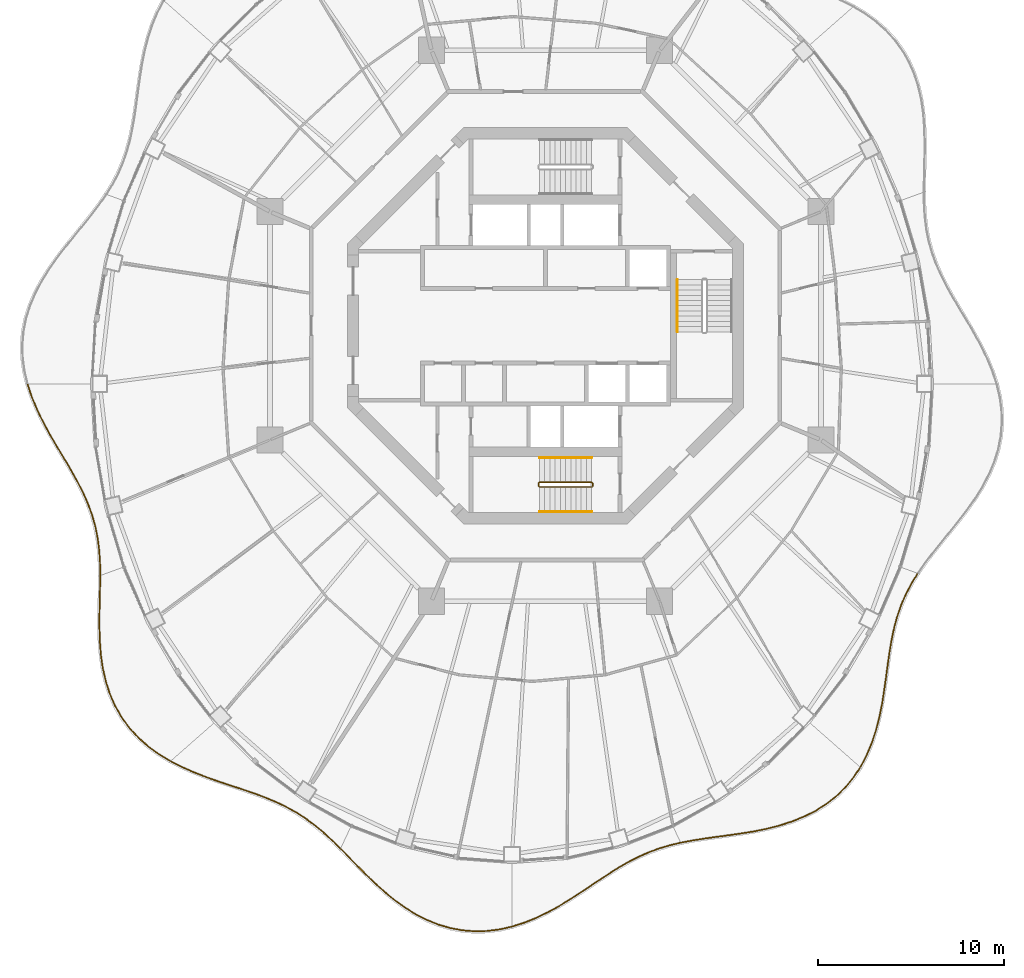
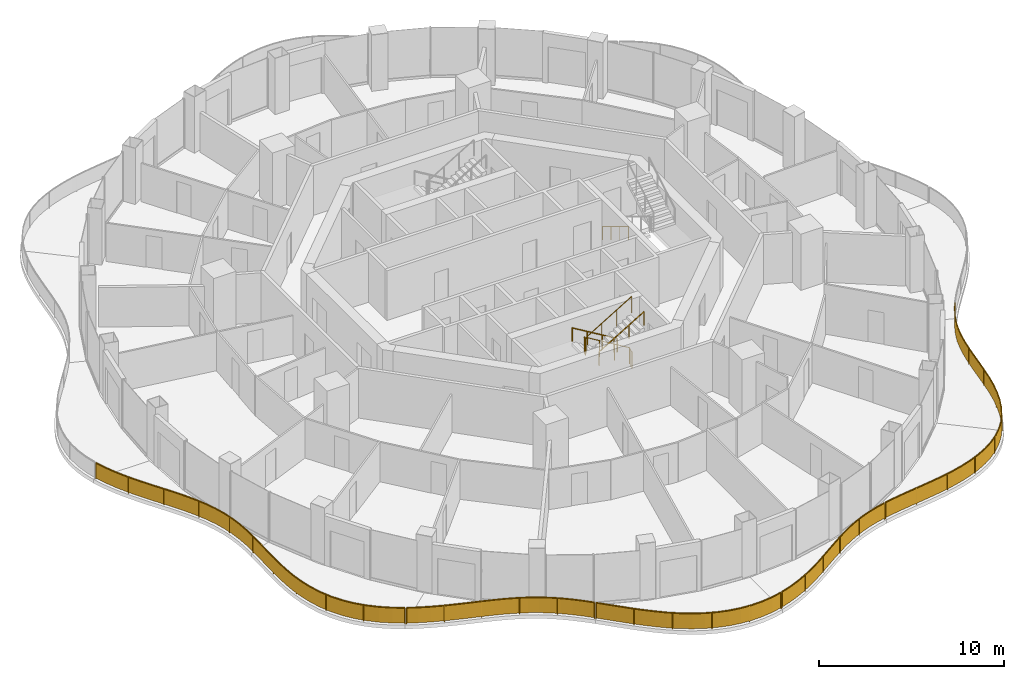
# One storey, part 15 of 17: 11 railings.
"""IFC4 building model written with IfcOpenShell, lengths in metres."""

from ifc_helpers import new_model, si_unit, direction, frame, origin, origin_2d, place, context, subcontext, project, spatial, polyline, rectangle, circle, outline, extrude, material, type_object, element, save


model = new_model("IFC4")

# Units and contexts
model_context = context("Model", 3, precision=1e-05, world=origin(), true_north=direction((0.0, 1.0)))
body_context = subcontext(model_context, "Body", "Model", "MODEL_VIEW")
ifc_project = project(units=[si_unit("LENGTHUNIT", "METRE"), si_unit("AREAUNIT", "SQUARE_METRE"), si_unit("VOLUMEUNIT", "CUBIC_METRE"), si_unit("PLANEANGLEUNIT", "RADIAN"), si_unit("MASSUNIT", "GRAM", prefix="KILO")], contexts=[model_context])

# Site, building, storey
site_placement = place(None, origin())
site = spatial("IfcSite", under=ifc_project, at=site_placement, CompositionType="ELEMENT")
building_placement = place(site_placement, origin())
building = spatial("IfcBuilding", under=site, at=building_placement, Name="Nagisa Residences", CompositionType="ELEMENT")
storey_placement = place(building_placement, frame((0.0, 0.0, 295.5)))
storey = spatial("IfcBuildingStorey", under=building, at=storey_placement, Name="L75", CompositionType="ELEMENT", Elevation=295.5)

# Railings
ifc_material_1 = material(Name="Stainless steel 316", Category="steel")
railing_type_1 = type_object("IfcRailingType", Name="BALCONY GUARD 1100", PredefinedType="BALUSTRADE", material=ifc_material_1)
railing_1_placement = place(storey_placement, frame((-27.78662109375, -3.154296875, 0.0)))
element("IfcRailing", 1, at=railing_1_placement, inside=storey, type_object=railing_type_1, Name="guard:L75:bal08-0", PredefinedType="BALUSTRADE", context=body_context, shape_type="SweptSolid", body=[
    extrude(outline(polyline([(0.24169921875, -0.64599609375), (0.023681640625, 0.0078125), (-0.023681640625, -0.0078125), (0.19482421875, -0.66357421875), (0.48095703125, -1.351806640625), (0.8095703125, -2.026123046875), (1.16796875, -2.685302734375), (1.54248046875, -3.329345703125), (1.91748046875, -3.946044921875), (2.283203125, -4.56494140625), (2.62646484375, -5.175537109375), (2.936767578125, -5.781982421875), (3.206787109375, -6.388916015625), (3.427490234375, -6.98681640625), (3.603271484375, -7.607666015625), (3.731201171875, -8.242431640625), (3.813720703125, -8.89404296875), (3.857666015625, -9.564697265625), (3.868408203125, -10.21240234375), (3.918212890625, -10.21142578125), (3.907470703125, -9.562744140625), (3.863525390625, -8.88916015625), (3.780517578125, -8.234130859375), (3.652099609375, -7.595947265625), (3.475341796875, -6.97119140625), (3.253173828125, -6.369873046875), (2.982177734375, -5.760498046875), (2.67041015625, -5.152099609375), (2.32666015625, -4.5400390625), (1.96044921875, -3.920166015625), (1.58544921875, -3.303955078125), (1.21142578125, -2.660888671875), (0.85400390625, -2.003173828125), (0.5263671875, -1.331298828125), (0.24169921875, -0.64599609375)])), frame((0.0, 0.0, 1.050048828125)), (0.0, 0.0, 1.0), 0.050048828125),
    extrude(outline(polyline([(0.224853515625, -0.65234375), (0.006591796875, 0.002197265625), (-0.006591796875, -0.002197265625), (0.211669921875, -0.6572265625), (0.497314453125, -1.344482421875), (0.82568359375, -2.017822265625), (1.18359375, -2.676513671875), (1.557861328125, -3.3203125), (1.932861328125, -3.936767578125), (2.298828125, -4.555908203125), (2.642333984375, -5.167236328125), (2.953125, -5.774169921875), (3.223388671875, -6.382080078125), (3.44482421875, -6.981201171875), (3.620849609375, -7.603515625), (3.7490234375, -8.239501953125), (3.83154296875, -8.892333984375), (3.87548828125, -9.56396484375), (3.88623046875, -10.2119140625), (3.900390625, -10.2119140625), (3.8896484375, -9.5634765625), (3.845703125, -8.890869140625), (3.7626953125, -8.237060546875), (3.634521484375, -7.60009765625), (3.4580078125, -6.976806640625), (3.236572265625, -6.376708984375), (2.9658203125, -5.768310546875), (2.654541015625, -5.160400390625), (2.31103515625, -4.549072265625), (1.945068359375, -3.929443359375), (1.570068359375, -3.31298828125), (1.19580078125, -2.669677734375), (0.837890625, -2.011474609375), (0.510009765625, -1.338623046875), (0.224853515625, -0.65234375)])), frame((0.0, 0.0, 0.06005859375)), (0.0, 0.0, 1.0), 0.989990234375),
    extrude(rectangle(XDim=0.0400390625, YDim=0.0400390625, at=origin_2d()), origin(), (0.0, 0.0, 1.0), 1.050048828125),
    extrude(rectangle(XDim=0.0400390625, YDim=0.0400390625, at=origin_2d()), frame((0.847900390625, -2.04443359375, 0.0)), (0.0, 0.0, 1.0), 1.050048828125),
    extrude(rectangle(XDim=0.0400390625, YDim=0.0400390625, at=origin_2d()), frame((1.956787109375, -3.963134765625, 0.0)), (0.0, 0.0, 1.0), 1.050048828125),
    extrude(rectangle(XDim=0.0400390625, YDim=0.0400390625, at=origin_2d()), frame((3.019775390625, -5.906982421875, 0.0)), (0.0, 0.0, 1.0), 1.050048828125),
    extrude(rectangle(XDim=0.0400390625, YDim=0.0400390625, at=origin_2d()), frame((3.709228515625, -8.0068359375, 0.0)), (0.0, 0.0, 1.0), 1.050048828125),
    extrude(rectangle(XDim=0.0400390625, YDim=0.0400390625, at=origin_2d()), frame((3.893310546875, -10.2119140625, 0.0)), (0.0, 0.0, 1.0), 1.050048828125),
])
railing_2_placement = place(storey_placement, frame((-23.895263671875, -13.440185546875, 0.0)))
element("IfcRailing", 2, at=railing_2_placement, inside=storey, type_object=railing_type_1, Name="guard:L75:bal09-0", PredefinedType="BALUSTRADE", context=body_context, shape_type="SweptSolid", body=[
    extrude(outline(polyline([(0.01611328125, -0.645751953125), (0.02490234375, -0.000244140625), (-0.02490234375, 0.000244140625), (-0.03369140625, -0.644775390625), (-0.050537109375, -1.349853515625), (-0.065185546875, -2.068359375), (-0.06591796875, -2.796142578125), (-0.040771484375, -3.527587890625), (0.013916015625, -4.2431640625), (0.121337890625, -4.962158203125), (0.28271484375, -5.6640625), (0.50439453125, -6.34228515625), (0.7900390625, -6.98876953125), (1.134033203125, -7.58740234375), (1.549072265625, -8.15283203125), (2.026611328125, -8.674072265625), (2.560546875, -9.14697265625), (3.143798828125, -9.57177734375), (3.72900390625, -9.923583984375), (3.7548828125, -9.880615234375), (3.171630859375, -9.52978515625), (2.591796875, -9.10791015625), (2.061767578125, -8.638427734375), (1.587646484375, -8.12109375), (1.176025390625, -7.56005859375), (0.8349609375, -6.96630859375), (0.55126953125, -6.32421875), (0.3310546875, -5.65087890625), (0.170654296875, -4.952880859375), (0.063720703125, -4.2373046875), (0.009033203125, -3.524658203125), (-0.015625, -2.795166015625), (-0.015380859375, -2.06884765625), (-0.000732421875, -1.350830078125), (0.01611328125, -0.645751953125)])), frame((0.0, 0.0, 1.050048828125)), (0.0, 0.0, 1.0), 0.050048828125),
    extrude(outline(polyline([(-0.001708984375, -0.6455078125), (0.007080078125, 0.0), (-0.007080078125, 0.0), (-0.015869140625, -0.64501953125), (-0.03271484375, -1.35009765625), (-0.04736328125, -2.068603515625), (-0.0478515625, -2.795654296875), (-0.02294921875, -3.526611328125), (0.03173828125, -4.240966796875), (0.13916015625, -4.958740234375), (0.300048828125, -5.659423828125), (0.521240234375, -6.335693359375), (0.80615234375, -6.980712890625), (1.149169921875, -7.57763671875), (1.56298828125, -8.141357421875), (2.039306640625, -8.6611328125), (2.57177734375, -9.1328125), (3.15380859375, -9.556640625), (3.73828125, -9.908203125), (3.74560546875, -9.89599609375), (3.16162109375, -9.544921875), (2.58056640625, -9.1220703125), (2.049072265625, -8.6513671875), (1.57373046875, -8.132568359375), (1.160888671875, -7.56982421875), (0.81884765625, -6.974365234375), (0.534423828125, -6.330810546875), (0.313720703125, -5.655517578125), (0.15283203125, -4.956298828125), (0.0458984375, -4.239501953125), (-0.0087890625, -3.525634765625), (-0.03369140625, -2.795654296875), (-0.033203125, -2.068603515625), (-0.0185546875, -1.3505859375), (-0.001708984375, -0.6455078125)])), frame((0.0, 0.0, 0.06005859375)), (0.0, 0.0, 1.0), 0.989990234375),
    extrude(rectangle(XDim=0.0400390625, YDim=0.0400390625, at=origin_2d()), origin(), (0.0, 0.0, 1.0), 1.050048828125),
    extrude(rectangle(XDim=0.0400390625, YDim=0.0400390625, at=origin_2d()), frame((-0.04052734375, -2.260498046875, 0.0)), (0.0, 0.0, 1.0), 1.050048828125),
    extrude(rectangle(XDim=0.0400390625, YDim=0.0400390625, at=origin_2d()), frame((0.080078125, -4.515625, 0.0)), (0.0, 0.0, 1.0), 1.050048828125),
    extrude(rectangle(XDim=0.0400390625, YDim=0.0400390625, at=origin_2d()), frame((0.683349609375, -6.685302734375, 0.0)), (0.0, 0.0, 1.0), 1.050048828125),
    extrude(rectangle(XDim=0.0400390625, YDim=0.0400390625, at=origin_2d()), frame((1.943359375, -8.54638671875, 0.0)), (0.0, 0.0, 1.0), 1.050048828125),
    extrude(rectangle(XDim=0.0400390625, YDim=0.0400390625, at=origin_2d()), frame((3.741943359375, -9.902099609375, 0.0)), (0.0, 0.0, 1.0), 1.050048828125),
])
railing_3_placement = place(storey_placement, frame((-20.085205078125, -23.379150390625, 0.0)))
element("IfcRailing", 3, at=railing_3_placement, inside=storey, type_object=railing_type_1, Name="guard:L75:bal10-0", PredefinedType="BALUSTRADE", context=body_context, shape_type="SweptSolid", body=[
    extrude(outline(polyline([(0.593505859375, -0.273681640625), (0.01123046875, 0.022216796875), (-0.01123046875, -0.022216796875), (0.572021484375, -0.319091796875), (1.216064453125, -0.604248046875), (1.87109375, -0.860107421875), (2.528564453125, -1.093994140625), (3.181396484375, -1.313232421875), (3.81005859375, -1.515380859375), (4.4326171875, -1.729736328125), (5.0341796875, -1.953857421875), (5.611328125, -2.195068359375), (6.16357421875, -2.459228515625), (6.677490234375, -2.742919921875), (7.18359375, -3.067626953125), (7.671142578125, -3.426513671875), (8.14501953125, -3.819091796875), (8.61083984375, -4.24365234375), (9.041259765625, -4.665771484375), (9.076416015625, -4.630126953125), (8.64501953125, -4.20751953125), (8.177734375, -3.781494140625), (7.701904296875, -3.386962890625), (7.2119140625, -3.026611328125), (6.703369140625, -2.699951171875), (6.1865234375, -2.414794921875), (5.6318359375, -2.149169921875), (5.052734375, -1.907470703125), (4.44970703125, -1.682861328125), (3.82568359375, -1.468017578125), (3.197021484375, -1.265869140625), (2.545166015625, -1.046630859375), (1.888671875, -0.813232421875), (1.235107421875, -0.557861328125), (0.593505859375, -0.273681640625)])), frame((0.0, 0.0, 1.050048828125)), (0.0, 0.0, 1.0), 0.050048828125),
    extrude(outline(polyline([(0.585693359375, -0.2900390625), (0.003173828125, 0.00634765625), (-0.003173828125, -0.00634765625), (0.579833984375, -0.302734375), (1.222900390625, -0.58740234375), (1.87744140625, -0.84326171875), (2.53466796875, -1.076904296875), (3.18701171875, -1.296142578125), (3.815673828125, -1.498291015625), (4.438720703125, -1.712890625), (5.040771484375, -1.937255859375), (5.61865234375, -2.178466796875), (6.171875, -2.443359375), (6.686767578125, -2.7275390625), (7.19384765625, -3.052978515625), (7.68212890625, -3.412353515625), (8.15673828125, -3.8056640625), (8.623046875, -4.230712890625), (9.053955078125, -4.65283203125), (9.063720703125, -4.64306640625), (8.6328125, -4.220458984375), (8.166015625, -3.794921875), (7.69091796875, -3.401123046875), (7.20166015625, -3.041259765625), (6.694091796875, -2.71533203125), (6.17822265625, -2.4306640625), (5.62451171875, -2.165771484375), (5.046142578125, -1.924072265625), (4.443603515625, -1.69970703125), (3.820068359375, -1.485107421875), (3.19140625, -1.282958984375), (2.5390625, -1.063720703125), (1.88232421875, -0.830078125), (1.228271484375, -0.57470703125), (0.585693359375, -0.2900390625)])), frame((0.0, 0.0, 0.06005859375)), (0.0, 0.0, 1.0), 0.989990234375),
    extrude(rectangle(XDim=0.0400390625, YDim=0.0400390625, at=origin_2d()), origin(), (0.0, 0.0, 1.0), 1.050048828125),
    extrude(rectangle(XDim=0.0400390625, YDim=0.0400390625, at=origin_2d()), frame((1.8798828125, -0.836669921875, 0.0)), (0.0, 0.0, 1.0), 1.050048828125),
    extrude(rectangle(XDim=0.0400390625, YDim=0.0400390625, at=origin_2d()), frame((3.830810546875, -1.49609375, 0.0)), (0.0, 0.0, 1.0), 1.050048828125),
    extrude(rectangle(XDim=0.0400390625, YDim=0.0400390625, at=origin_2d()), frame((5.751953125, -2.234619140625, 0.0)), (0.0, 0.0, 1.0), 1.050048828125),
    extrude(rectangle(XDim=0.0400390625, YDim=0.0400390625, at=origin_2d()), frame((7.51904296875, -3.283447265625, 0.0)), (0.0, 0.0, 1.0), 1.050048828125),
    extrude(rectangle(XDim=0.0400390625, YDim=0.0400390625, at=origin_2d()), frame((9.058837890625, -4.64794921875, 0.0)), (0.0, 0.0, 1.0), 1.050048828125),
])
railing_4_placement = place(storey_placement, frame((-10.9755859375, -28.080810546875, 0.0)))
element("IfcRailing", 4, at=railing_4_placement, inside=storey, type_object=railing_type_1, Name="guard:L75:bal11-0", PredefinedType="BALUSTRADE", context=body_context, shape_type="SweptSolid", body=[
    extrude(outline(polyline([(0.43505859375, -0.40869140625), (0.017822265625, 0.017578125), (-0.017822265625, -0.017578125), (0.3994140625, -0.44384765625), (0.858642578125, -0.913818359375), (1.331298828125, -1.38916015625), (1.82177734375, -1.86083984375), (2.33349609375, -2.3193359375), (2.8515625, -2.74951171875), (3.411376953125, -3.152099609375), (3.995361328125, -3.51220703125), (4.6025390625, -3.822021484375), (5.23046875, -4.073974609375), (5.861083984375, -4.260009765625), (6.517578125, -4.380859375), (7.18505859375, -4.4326171875), (7.856689453125, -4.41455078125), (8.52685546875, -4.329345703125), (9.1435546875, -4.189208984375), (9.13232421875, -4.140380859375), (8.51806640625, -4.280029296875), (7.852783203125, -4.36474609375), (7.1865234375, -4.38232421875), (6.52392578125, -4.3310546875), (5.872802734375, -4.211181640625), (5.2470703125, -4.026611328125), (4.623046875, -3.776611328125), (4.019775390625, -3.46875), (3.439208984375, -3.110595703125), (2.88232421875, -2.7099609375), (2.3662109375, -2.28125), (1.85595703125, -1.82421875), (1.366455078125, -1.353515625), (0.894287109375, -0.878662109375), (0.43505859375, -0.40869140625)])), frame((0.0, 0.0, 1.050048828125)), (0.0, 0.0, 1.0), 0.050048828125),
    extrude(outline(polyline([(0.422119140625, -0.42138671875), (0.0048828125, 0.0048828125), (-0.0048828125, -0.0048828125), (0.412353515625, -0.43115234375), (0.87158203125, -0.901123046875), (1.343994140625, -1.376220703125), (1.833984375, -1.84765625), (2.34521484375, -2.3056640625), (2.862548828125, -2.7353515625), (3.42138671875, -3.13720703125), (4.004150390625, -3.49658203125), (4.60986328125, -3.8056640625), (5.236572265625, -4.056884765625), (5.865234375, -4.242431640625), (6.519775390625, -4.36279296875), (7.185546875, -4.41455078125), (7.855224609375, -4.396728515625), (8.523681640625, -4.3115234375), (9.139404296875, -4.171630859375), (9.136474609375, -4.157958984375), (8.521240234375, -4.2978515625), (7.854248046875, -4.382568359375), (7.18603515625, -4.400390625), (6.521728515625, -4.34912109375), (5.86865234375, -4.228759765625), (5.240966796875, -4.043701171875), (4.61572265625, -3.79296875), (4.010986328125, -3.484375), (3.42919921875, -3.12548828125), (2.871337890625, -2.72412109375), (2.3544921875, -2.294921875), (1.84375, -1.83740234375), (1.353759765625, -1.366455078125), (0.88134765625, -0.891357421875), (0.422119140625, -0.42138671875)])), frame((0.0, 0.0, 0.06005859375)), (0.0, 0.0, 1.0), 0.989990234375),
    extrude(rectangle(XDim=0.0400390625, YDim=0.0400390625, at=origin_2d()), origin(), (0.0, 0.0, 1.0), 1.050048828125),
    extrude(rectangle(XDim=0.0400390625, YDim=0.0400390625, at=origin_2d()), frame((1.497314453125, -1.51416015625, 0.0)), (0.0, 0.0, 1.0), 1.050048828125),
    extrude(rectangle(XDim=0.0400390625, YDim=0.0400390625, at=origin_2d()), frame((3.1083984375, -2.9033203125, 0.0)), (0.0, 0.0, 1.0), 1.050048828125),
    extrude(rectangle(XDim=0.0400390625, YDim=0.0400390625, at=origin_2d()), frame((4.96142578125, -3.939208984375, 0.0)), (0.0, 0.0, 1.0), 1.050048828125),
    extrude(rectangle(XDim=0.0400390625, YDim=0.0400390625, at=origin_2d()), frame((7.0302734375, -4.3955078125, 0.0)), (0.0, 0.0, 1.0), 1.050048828125),
    extrude(rectangle(XDim=0.0400390625, YDim=0.0400390625, at=origin_2d()), frame((9.137939453125, -4.164794921875, 0.0)), (0.0, 0.0, 1.0), 1.050048828125),
])
railing_5_placement = place(storey_placement, frame((-1.76318359375, -32.224609375, 0.0)))
element("IfcRailing", 5, at=railing_5_placement, inside=storey, type_object=railing_type_1, Name="guard:L75:bal12-0", PredefinedType="BALUSTRADE", context=body_context, shape_type="SweptSolid", body=[
    extrude(outline(polyline([(0.59765625, 0.217041015625), (-0.007568359375, 0.02392578125), (0.007568359375, -0.02392578125), (0.61474609375, 0.169677734375), (1.2548828125, 0.4267578125), (1.87890625, 0.725830078125), (2.48486328125, 1.05712890625), (3.072509765625, 1.410888671875), (3.624755859375, 1.774658203125), (4.178466796875, 2.14306640625), (4.718994140625, 2.5048828125), (5.249267578125, 2.85107421875), (5.774169921875, 3.175537109375), (6.28076171875, 3.467041015625), (6.80712890625, 3.732177734375), (7.34130859375, 3.96435546875), (7.886962890625, 4.163330078125), (8.4482421875, 4.33056640625), (8.984375, 4.458740234375), (8.97265625, 4.507568359375), (8.43505859375, 4.37890625), (7.871337890625, 4.210693359375), (7.32275390625, 4.0107421875), (6.78564453125, 3.777587890625), (6.2568359375, 3.510986328125), (5.748291015625, 3.218505859375), (5.222412109375, 2.8935546875), (4.691162109375, 2.54638671875), (4.150634765625, 2.1845703125), (3.596923828125, 1.816162109375), (3.045654296875, 1.453369140625), (2.4599609375, 1.1005859375), (1.85595703125, 0.770263671875), (1.23486328125, 0.47265625), (0.59765625, 0.217041015625)])), frame((0.0, 0.0, 1.050048828125)), (0.0, 0.0, 1.0), 0.050048828125),
    extrude(outline(polyline([(0.603759765625, 0.199951171875), (-0.002197265625, 0.006591796875), (0.002197265625, -0.006591796875), (0.608642578125, 0.186767578125), (1.247802734375, 0.443359375), (1.87060546875, 0.74169921875), (2.475830078125, 1.07275390625), (3.062744140625, 1.42626953125), (3.61474609375, 1.78955078125), (4.16845703125, 2.157958984375), (4.708984375, 2.519775390625), (5.239501953125, 2.866455078125), (5.764892578125, 3.19091796875), (6.272216796875, 3.48291015625), (6.79931640625, 3.74853515625), (7.334716796875, 3.98095703125), (7.88134765625, 4.180419921875), (8.443359375, 4.347900390625), (8.980224609375, 4.476318359375), (8.976806640625, 4.489990234375), (8.43994140625, 4.361572265625), (7.876953125, 4.193603515625), (7.329345703125, 3.994140625), (6.79345703125, 3.76123046875), (6.265380859375, 3.4951171875), (5.757568359375, 3.203125), (5.232177734375, 2.878173828125), (4.701171875, 2.531494140625), (4.16064453125, 2.169677734375), (3.60693359375, 1.80126953125), (3.055419921875, 1.43798828125), (2.468994140625, 1.0849609375), (1.8642578125, 0.75439453125), (1.241943359375, 0.4560546875), (0.603759765625, 0.199951171875)])), frame((0.0, 0.0, 0.06005859375)), (0.0, 0.0, 1.0), 0.989990234375),
    extrude(rectangle(XDim=0.0400390625, YDim=0.0400390625, at=origin_2d()), origin(), (0.0, 0.0, 1.0), 1.050048828125),
    extrude(rectangle(XDim=0.0400390625, YDim=0.0400390625, at=origin_2d()), frame((1.871826171875, 0.75048828125, 0.0)), (0.0, 0.0, 1.0), 1.050048828125),
    extrude(rectangle(XDim=0.0400390625, YDim=0.0400390625, at=origin_2d()), frame((3.602294921875, 1.789794921875, 0.0)), (0.0, 0.0, 1.0), 1.050048828125),
    extrude(rectangle(XDim=0.0400390625, YDim=0.0400390625, at=origin_2d()), frame((5.286865234375, 2.90380859375, 0.0)), (0.0, 0.0, 1.0), 1.050048828125),
    extrude(rectangle(XDim=0.0400390625, YDim=0.0400390625, at=origin_2d()), frame((7.058349609375, 3.86865234375, 0.0)), (0.0, 0.0, 1.0), 1.050048828125),
    extrude(rectangle(XDim=0.0400390625, YDim=0.0400390625, at=origin_2d()), frame((8.978515625, 4.483154296875, 0.0)), (0.0, 0.0, 1.0), 1.050048828125),
])
railing_6_placement = place(storey_placement, frame((7.285400390625, -27.728271484375, 0.0)))
element("IfcRailing", 6, at=railing_6_placement, inside=storey, type_object=railing_type_1, Name="guard:L75:bal13-0", PredefinedType="BALUSTRADE", context=body_context, shape_type="SweptSolid", body=[
    extrude(outline(polyline([(0.573974609375, 0.13525390625), (-0.004638671875, 0.024658203125), (0.004638671875, -0.024658203125), (0.582763671875, 0.0859375), (1.22314453125, 0.188232421875), (1.883056640625, 0.2802734375), (2.55859375, 0.371337890625), (3.24609375, 0.47119140625), (3.92626953125, 0.578857421875), (4.619873046875, 0.72216796875), (5.305908203125, 0.899658203125), (5.97607421875, 1.1181640625), (6.623046875, 1.383056640625), (7.226806640625, 1.68798828125), (7.80419921875, 2.055908203125), (8.337646484375, 2.476806640625), (8.821533203125, 2.948974609375), (9.2529296875, 3.469970703125), (9.60302734375, 3.995849609375), (9.5615234375, 4.023681640625), (9.212890625, 3.499755859375), (8.784912109375, 2.983154296875), (8.304443359375, 2.514404296875), (7.775390625, 2.096923828125), (7.201904296875, 1.7314453125), (6.60205078125, 1.428466796875), (5.958984375, 1.1650390625), (5.291748046875, 0.947509765625), (4.608642578125, 0.77099609375), (3.91748046875, 0.628173828125), (3.23876953125, 0.5205078125), (2.5517578125, 0.421142578125), (1.876220703125, 0.330078125), (1.2158203125, 0.237548828125), (0.573974609375, 0.13525390625)])), frame((0.0, 0.0, 1.050048828125)), (0.0, 0.0, 1.0), 0.050048828125),
    extrude(outline(polyline([(0.5771484375, 0.117431640625), (-0.001220703125, 0.0068359375), (0.001220703125, -0.0068359375), (0.57958984375, 0.103759765625), (1.220458984375, 0.2060546875), (1.880615234375, 0.29833984375), (2.55615234375, 0.389404296875), (3.243408203125, 0.489013671875), (3.923095703125, 0.5966796875), (4.61572265625, 0.73974609375), (5.30078125, 0.916748046875), (5.969970703125, 1.135009765625), (6.615478515625, 1.3994140625), (7.2177734375, 1.70361328125), (7.7939453125, 2.07080078125), (8.32568359375, 2.490234375), (8.808349609375, 2.96142578125), (9.238525390625, 3.480712890625), (9.588134765625, 4.005859375), (9.576416015625, 4.013671875), (9.227294921875, 3.489013671875), (8.798095703125, 2.970703125), (8.31640625, 2.5009765625), (7.78564453125, 2.08203125), (7.2109375, 1.7158203125), (6.609619140625, 1.412109375), (5.965087890625, 1.148193359375), (5.296875, 0.930419921875), (4.61279296875, 0.75341796875), (3.920654296875, 0.6103515625), (3.241455078125, 0.502685546875), (2.55419921875, 0.403076171875), (1.878662109375, 0.31201171875), (1.218505859375, 0.2197265625), (0.5771484375, 0.117431640625)])), frame((0.0, 0.0, 0.06005859375)), (0.0, 0.0, 1.0), 0.989990234375),
    extrude(rectangle(XDim=0.0400390625, YDim=0.0400390625, at=origin_2d()), origin(), (0.0, 0.0, 1.0), 1.050048828125),
    extrude(rectangle(XDim=0.0400390625, YDim=0.0400390625, at=origin_2d()), frame((2.131591796875, 0.339111328125, 0.0)), (0.0, 0.0, 1.0), 1.050048828125),
    extrude(rectangle(XDim=0.0400390625, YDim=0.0400390625, at=origin_2d()), frame((4.263671875, 0.674072265625, 0.0)), (0.0, 0.0, 1.0), 1.050048828125),
    extrude(rectangle(XDim=0.0400390625, YDim=0.0400390625, at=origin_2d()), frame((6.328857421875, 1.28955078125, 0.0)), (0.0, 0.0, 1.0), 1.050048828125),
    extrude(rectangle(XDim=0.0400390625, YDim=0.0400390625, at=origin_2d()), frame((8.178955078125, 2.383544921875, 0.0)), (0.0, 0.0, 1.0), 1.050048828125),
    extrude(rectangle(XDim=0.0400390625, YDim=0.0400390625, at=origin_2d()), frame((9.582275390625, 4.009765625, 0.0)), (0.0, 0.0, 1.0), 1.050048828125),
])
railing_7_placement = place(storey_placement, frame((16.906982421875, -23.652099609375, 0.0)))
element("IfcRailing", 7, at=railing_7_placement, inside=storey, type_object=railing_type_1, Name="guard:L75:bal14-0", PredefinedType="BALUSTRADE", context=body_context, shape_type="SweptSolid", body=[
    extrude(outline(polyline([(0.291259765625, 0.60205078125), (-0.022216796875, 0.01171875), (0.022216796875, -0.01171875), (0.336669921875, 0.58056640625), (0.61767578125, 1.248779296875), (0.846435546875, 1.94287109375), (1.02978515625, 2.65478515625), (1.175537109375, 3.37548828125), (1.28515625, 4.084228515625), (1.38623046875, 4.798828125), (1.48095703125, 5.500732421875), (1.580322265625, 6.184814453125), (1.69482421875, 6.847412109375), (1.8271484375, 7.473876953125), (1.997802734375, 8.089599609375), (2.206298828125, 8.68310546875), (2.45654296875, 9.257080078125), (2.75, 9.814453125), (3.06396484375, 10.32421875), (3.021484375, 10.3505859375), (2.70654296875, 9.83935546875), (2.41162109375, 9.278564453125), (2.159912109375, 8.70166015625), (1.949951171875, 8.104736328125), (1.7783203125, 7.485595703125), (1.6455078125, 6.856689453125), (1.531005859375, 6.192626953125), (1.43115234375, 5.507568359375), (1.33642578125, 4.8056640625), (1.23583984375, 4.091552734375), (1.126220703125, 3.38427734375), (0.98095703125, 2.666015625), (0.798583984375, 1.95703125), (0.57080078125, 1.266357421875), (0.291259765625, 0.60205078125)])), frame((0.0, 0.0, 1.050048828125)), (0.0, 0.0, 1.0), 0.050048828125),
    extrude(outline(polyline([(0.3076171875, 0.59423828125), (-0.006103515625, 0.003173828125), (0.006103515625, -0.003173828125), (0.3203125, 0.58837890625), (0.600830078125, 1.255126953125), (0.829345703125, 1.947998046875), (1.01220703125, 2.658935546875), (1.15771484375, 3.378662109375), (1.267333984375, 4.0869140625), (1.3681640625, 4.80126953125), (1.462890625, 5.503173828125), (1.5625, 6.1875), (1.677001953125, 6.850830078125), (1.8095703125, 7.47802734375), (1.98046875, 8.094970703125), (2.189697265625, 8.68994140625), (2.4404296875, 9.264892578125), (2.734375, 9.823486328125), (3.048583984375, 10.333740234375), (3.036865234375, 10.341064453125), (2.72216796875, 9.830322265625), (2.427734375, 9.270751953125), (2.176513671875, 8.69482421875), (1.96728515625, 8.099365234375), (1.7958984375, 7.4814453125), (1.663330078125, 6.853271484375), (1.548828125, 6.18994140625), (1.44921875, 5.505126953125), (1.3544921875, 4.80322265625), (1.253662109375, 4.0888671875), (1.14404296875, 3.381103515625), (0.99853515625, 2.661865234375), (0.815673828125, 1.951904296875), (0.587646484375, 1.260009765625), (0.3076171875, 0.59423828125)])), frame((0.0, 0.0, 0.06005859375)), (0.0, 0.0, 1.0), 0.989990234375),
    extrude(rectangle(XDim=0.0400390625, YDim=0.0400390625, at=origin_2d()), origin(), (0.0, 0.0, 1.0), 1.050048828125),
    extrude(rectangle(XDim=0.0400390625, YDim=0.0400390625, at=origin_2d()), frame((0.835693359375, 2.00146484375, 0.0)), (0.0, 0.0, 1.0), 1.050048828125),
    extrude(rectangle(XDim=0.0400390625, YDim=0.0400390625, at=origin_2d()), frame((1.2666015625, 4.130859375, 0.0)), (0.0, 0.0, 1.0), 1.050048828125),
    extrude(rectangle(XDim=0.0400390625, YDim=0.0400390625, at=origin_2d()), frame((1.572021484375, 6.28369140625, 0.0)), (0.0, 0.0, 1.0), 1.050048828125),
    extrude(rectangle(XDim=0.0400390625, YDim=0.0400390625, at=origin_2d()), frame((2.07861328125, 8.394775390625, 0.0)), (0.0, 0.0, 1.0), 1.050048828125),
    extrude(rectangle(XDim=0.0400390625, YDim=0.0400390625, at=origin_2d()), frame((3.042724609375, 10.33740234375, 0.0)), (0.0, 0.0, 1.0), 1.050048828125),
])
ifc_material_2 = material(Name="Stainless steel", Category="steel")
railing_type_2 = type_object("IfcRailingType", Name="Stair guard 1100", PredefinedType="GUARDRAIL", material=ifc_material_2)
railing_8_placement = place(storey_placement, frame((2.52490234375, -8.599609375, 0.0)))
element("IfcRailing", 8, at=railing_8_placement, inside=storey, type_object=railing_type_2, Name="L75 ST-S stair guard 1", PredefinedType="GUARDRAIL", context=body_context, shape_type="SweptSolid", body=[
    extrude(circle(Radius=0.02392578125, at=origin_2d()), frame((0.0, 0.0, 1.076171875), z_axis=(0.0, 1.0, 0.0), x_axis=(-1.0, 0.0, 0.0)), (0.0, 0.0, 1.0), 0.14990234375),
    extrude(circle(Radius=0.02392578125, at=origin_2d()), frame((0.0, 0.14990234375, 1.076171875), z_axis=(-0.273006030465, 0.27434429532, 0.922064485248), x_axis=(-0.708833529934, -0.705375805398, 0.0)), (0.0, 0.0, 1.0), 0.182373046875),
    extrude(circle(Radius=0.02392578125, at=origin_2d()), frame((-0.0498046875, 0.199951171875, 1.244140625), z_axis=(-0.857242210791, 0.0, 0.514913383045), x_axis=(0.0, -1.0, 0.0)), (0.0, 0.0, 1.0), 3.266357421875),
    extrude(circle(Radius=0.02392578125, at=origin_2d()), frame((-2.849853515625, 0.199951171875, 2.92626953125), z_axis=(-0.707106781187, -0.707106781187, 0.0), x_axis=(0.707106781187, -0.707106781187, 0.0)), (0.0, 0.0, 1.0), 0.07080078125),
    extrude(circle(Radius=0.02392578125, at=origin_2d()), frame((-2.89990234375, 0.14990234375, 2.92626953125), z_axis=(0.0, -1.0, 0.0), x_axis=(1.0, 0.0, 0.0)), (0.0, 0.0, 1.0), 0.14990234375),
    extrude(circle(Radius=0.02392578125, at=origin_2d()), frame((-2.89990234375, 0.0, 2.92626953125), z_axis=(0.274582412415, -0.274582412415, 0.921525364591), x_axis=(0.707106781187, 0.707106781187, 0.0)), (0.0, 0.0, 1.0), 0.182373046875),
    extrude(circle(Radius=0.02392578125, at=origin_2d()), frame((-2.849853515625, -0.050048828125, 3.09423828125), z_axis=(0.857242210791, 0.0, 0.514913383045), x_axis=(0.0, 1.0, 0.0)), (0.0, 0.0, 1.0), 3.266357421875),
    extrude(circle(Radius=0.02099609375, at=origin_2d()), origin(), (0.0, 0.0, 1.0), 1.052001953125),
    extrude(circle(Radius=0.02099609375, at=origin_2d()), frame((0.0, 0.14990234375, 0.0)), (0.0, 0.0, 1.0), 1.052001953125),
    extrude(circle(Radius=0.02099609375, at=origin_2d()), frame((-0.0498046875, 0.199951171875, 0.168212890625)), (0.0, 0.0, 1.0), 1.052001953125),
    extrude(circle(Radius=0.02099609375, at=origin_2d()), frame((-0.983154296875, 0.199951171875, 0.728759765625)), (0.0, 0.0, 1.0), 1.052001953125),
    extrude(circle(Radius=0.02099609375, at=origin_2d()), frame((-1.91650390625, 0.199951171875, 1.28955078125)), (0.0, 0.0, 1.0), 1.052001953125),
    extrude(circle(Radius=0.02099609375, at=origin_2d()), frame((-2.849853515625, 0.199951171875, 1.85009765625)), (0.0, 0.0, 1.0), 1.052001953125),
    extrude(circle(Radius=0.02099609375, at=origin_2d()), frame((-2.89990234375, 0.14990234375, 1.85009765625)), (0.0, 0.0, 1.0), 1.052001953125),
    extrude(circle(Radius=0.02099609375, at=origin_2d()), frame((-2.89990234375, 0.0, 1.85009765625)), (0.0, 0.0, 1.0), 1.052001953125),
    extrude(circle(Radius=0.02099609375, at=origin_2d()), frame((-2.849853515625, -0.050048828125, 2.01806640625)), (0.0, 0.0, 1.0), 1.052001953125),
    extrude(circle(Radius=0.02099609375, at=origin_2d()), frame((-1.91650390625, -0.050048828125, 2.57861328125)), (0.0, 0.0, 1.0), 1.052001953125),
    extrude(circle(Radius=0.02099609375, at=origin_2d()), frame((-0.983154296875, -0.050048828125, 3.139404296875)), (0.0, 0.0, 1.0), 1.052001953125),
    extrude(circle(Radius=0.02099609375, at=origin_2d()), frame((-0.0498046875, -0.050048828125, 3.699951171875)), (0.0, 0.0, 1.0), 1.052001953125),
])
ifc_material_3 = material(Name="Stainless steel", Category="steel")
railing_type_3 = type_object("IfcRailingType", Name="Stair handrail 900", PredefinedType="HANDRAIL", material=ifc_material_3)
railing_9_placement = place(storey_placement, frame((7.07470703125, 2.47509765625, 0.168212890625)))
element("IfcRailing", 9, at=railing_9_placement, inside=storey, type_object=railing_type_3, Name="L75 ST-E stair handrail 1", PredefinedType="HANDRAIL", context=body_context, shape_type="SweptSolid", body=[
    extrude(circle(Radius=0.02392578125, at=origin_2d()), frame((0.0, 0.0, 0.8759765625), z_axis=(0.0, -0.857242210791, 0.514913383045), x_axis=(1.0, 0.0, 0.0)), (0.0, 0.0, 1.0), 3.266357421875),
    extrude(circle(Radius=0.02099609375, at=origin_2d()), origin(), (0.0, 0.0, 1.0), 0.851806640625),
    extrude(circle(Radius=0.02099609375, at=origin_2d()), frame((0.0, -0.933349609375, 0.560546875)), (0.0, 0.0, 1.0), 0.851806640625),
    extrude(circle(Radius=0.02099609375, at=origin_2d()), frame((0.0, -1.86669921875, 1.121337890625)), (0.0, 0.0, 1.0), 0.851806640625),
    extrude(circle(Radius=0.02099609375, at=origin_2d()), frame((0.0, -2.800048828125, 1.681884765625)), (0.0, 0.0, 1.0), 0.851806640625),
])
railing_10_placement = place(storey_placement, frame((2.47509765625, -7.07470703125, 0.168212890625)))
element("IfcRailing", 10, at=railing_10_placement, inside=storey, type_object=railing_type_3, Name="L75 ST-S stair handrail 1", PredefinedType="HANDRAIL", context=body_context, shape_type="SweptSolid", body=[
    extrude(circle(Radius=0.02392578125, at=origin_2d()), frame((0.0, 0.0, 0.8759765625), z_axis=(-0.857242210791, 0.0, 0.514913383045), x_axis=(0.0, -1.0, 0.0)), (0.0, 0.0, 1.0), 3.266357421875),
    extrude(circle(Radius=0.02099609375, at=origin_2d()), origin(), (0.0, 0.0, 1.0), 0.851806640625),
    extrude(circle(Radius=0.02099609375, at=origin_2d()), frame((-0.933349609375, 0.0, 0.560546875)), (0.0, 0.0, 1.0), 0.851806640625),
    extrude(circle(Radius=0.02099609375, at=origin_2d()), frame((-1.86669921875, 0.0, 1.121337890625)), (0.0, 0.0, 1.0), 0.851806640625),
    extrude(circle(Radius=0.02099609375, at=origin_2d()), frame((-2.800048828125, 0.0, 1.681884765625)), (0.0, 0.0, 1.0), 0.851806640625),
])
railing_11_placement = place(storey_placement, frame((-0.324951171875, -9.974609375, 2.01806640625)))
element("IfcRailing", 11, at=railing_11_placement, inside=storey, type_object=railing_type_3, Name="L75 ST-S stair handrail 2", PredefinedType="HANDRAIL", context=body_context, shape_type="SweptSolid", body=[
    extrude(circle(Radius=0.02392578125, at=origin_2d()), frame((0.0, 0.0, 0.8759765625), z_axis=(0.857242210791, 0.0, 0.514913383045), x_axis=(0.0, 1.0, 0.0)), (0.0, 0.0, 1.0), 3.266357421875),
    extrude(circle(Radius=0.02099609375, at=origin_2d()), origin(), (0.0, 0.0, 1.0), 0.851806640625),
    extrude(circle(Radius=0.02099609375, at=origin_2d()), frame((0.933349609375, 0.0, 0.560546875)), (0.0, 0.0, 1.0), 0.851806640625),
    extrude(circle(Radius=0.02099609375, at=origin_2d()), frame((1.86669921875, 0.0, 1.121337890625)), (0.0, 0.0, 1.0), 0.851806640625),
    extrude(circle(Radius=0.02099609375, at=origin_2d()), frame((2.800048828125, 0.0, 1.681884765625)), (0.0, 0.0, 1.0), 0.851806640625),
])

save(model, "model.ifc")
